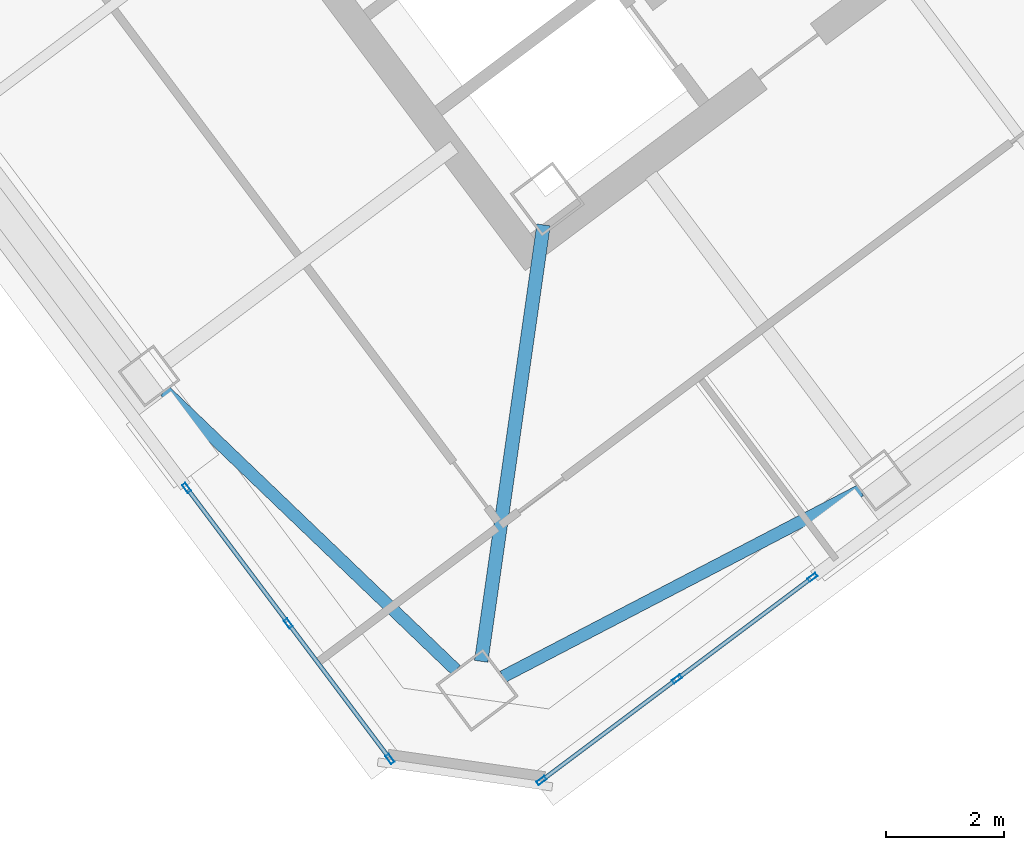
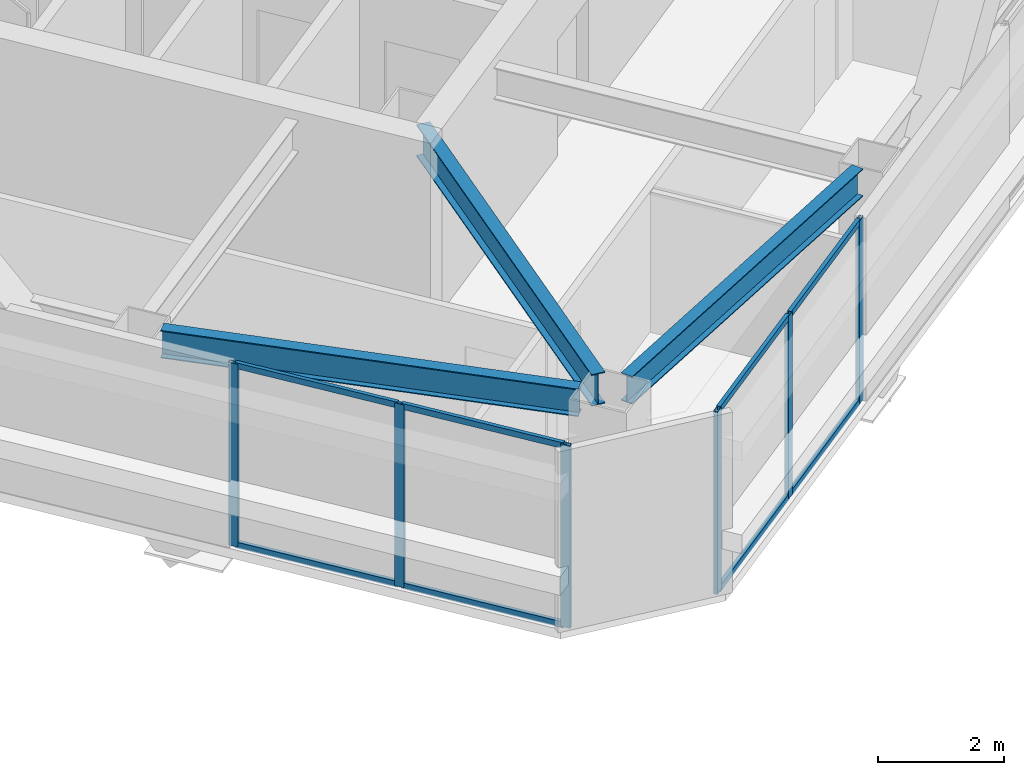
# One storey, part 18 of 39: 14 members, 3 beams, 2 elements without a shape of their own.
"""IFC4 building model written with IfcOpenShell, lengths in metres."""

from ifc_helpers import new_model, si_unit, direction, frame, origin, origin_2d, place, context, subcontext, project, spatial, hollow_rectangle, i_section, extrude, material, material_profile, profile_set, type_object, element, aggregate, save


model = new_model("IFC4")

# Units and contexts
model_context = context("Model", 3, precision=1e-05, world=origin(), true_north=direction((0.0, 1.0)))
body_context = subcontext(model_context, "Body", "Model", "MODEL_VIEW")
ifc_project = project(units=[si_unit("LENGTHUNIT", "METRE"), si_unit("AREAUNIT", "SQUARE_METRE"), si_unit("VOLUMEUNIT", "CUBIC_METRE"), si_unit("PLANEANGLEUNIT", "RADIAN"), si_unit("MASSUNIT", "GRAM", prefix="KILO")], contexts=[model_context])

# Site, building, storey
site_placement = place(None, origin())
site = spatial("IfcSite", under=ifc_project, at=site_placement, CompositionType="ELEMENT")
building_placement = place(site_placement, origin())
building = spatial("IfcBuilding", under=site, at=building_placement, Name="Tashvorn Skyway Center", CompositionType="ELEMENT")
storey_placement = place(building_placement, frame((0.0, 0.0, 239.699951171875)))
storey = spatial("IfcBuildingStorey", under=building, at=storey_placement, Name="L65", CompositionType="ELEMENT", Elevation=239.699951171875)

# Beams
ifc_material_1 = material(Name="Steel ASTM A992 Grade 50", Category="steel")
ifc_material_profile_1 = material_profile(ifc_material_1, i_section(OverallWidth=0.22998046875, OverallDepth=0.616943359375, WebThickness=0.01318359375, FlangeThickness=0.022216796875, at=origin_2d()), Name="W24X94")
ifc_profile_set_1 = profile_set([ifc_material_profile_1], Name="Steel ASTM A992 Grade 50")
beam_type_1 = type_object("IfcBeamType", Name="BM-BEAM-W24X94", PredefinedType="BEAM", material=ifc_profile_set_1)
beam_placement = place(storey_placement, frame((111.469970703125, 14.2900390625, 3.0615234375), z_axis=(0.141430501853, 0.989948187102, 0.0), x_axis=(-0.989948187102, 0.141430501853, 0.0)))
element("IfcBeam", 1, at=beam_placement, inside=storey, type_object=beam_type_1, Name="Tower 2 L65 Primary Floor Girder MC-SW", PredefinedType="BEAM", context=body_context, shape_type="SweptSolid", body=[
    extrude(i_section(OverallWidth=0.22998046875, OverallDepth=0.616943359375, WebThickness=0.01318359375, FlangeThickness=0.022216796875, at=origin_2d()), origin(), (0.0, 0.0, 1.0), 7.474609375),
])
ifc_material_profile_2 = material_profile(ifc_material_1, i_section(OverallWidth=0.2109375, OverallDepth=0.5390625, WebThickness=0.01171875, FlangeThickness=0.018798828125, at=origin_2d()), Name="W21X73")
ifc_profile_set_2 = profile_set([ifc_material_profile_2], Name="Steel ASTM A992 Grade 50")
beam_type_2 = type_object("IfcBeamType", Name="BM-SPANDREL-W21X73", PredefinedType="SPANDREL", material=ifc_profile_set_2)
for number, where, z_axis, x_axis, name in (
    (2, (111.8388671875, 14.02880859375, 3.1005859375), (0.886773234579, 0.462204749472, 0.0), (-0.462204749472, 0.886773234579, 0.0), "Tower 2 L65 Spandrel Beam 01"),
    (3, (106.107177734375, 18.8740234375, 3.1005859375), (0.72187522213, -0.69202323926, 0.0), (0.69202323926, 0.72187522213, 0.0), "Tower 2 L65 Spandrel Beam 12"),
):
    element("IfcBeam", number, at=place(storey_placement, frame(where, z_axis=z_axis, x_axis=x_axis)), inside=storey, type_object=beam_type_2, Name=name, PredefinedType="SPANDREL", context=body_context, shape_type="SweptSolid", body=[
        extrude(i_section(OverallWidth=0.2109375, OverallDepth=0.5390625, WebThickness=0.01171875, FlangeThickness=0.018798828125, at=origin_2d()), origin(), (0.0, 0.0, 1.0), 6.837158203125),
    ])

# Curtain wall, members
ifc_material_2 = material(Name="Thermally broken bronze-anodized aluminium 6063-T6", Category="aluminium")
curtain_wall_type = type_object("IfcCurtainWallType", Name="CW-CW-Z5", PredefinedType="NOTDEFINED", material=ifc_material_2)
curtain_wall_1_placement = place(storey_placement, origin())
curtain_wall_1 = element("IfcCurtainWall", 4, at=curtain_wall_1_placement, inside=storey, type_object=curtain_wall_type, Name="Tower 2 L65 South Unitised Curtain Wall Glazing Group 3", PredefinedType="NOTDEFINED")
ifc_material_profile_3 = material_profile(ifc_material_2, hollow_rectangle(XDim=0.070068359375, YDim=0.1650390625, WallThickness=0.00390625, at=origin_2d()), Name="ALU-MULL-70x165")
ifc_profile_set_3 = profile_set([ifc_material_profile_3], Name="Thermally broken bronze-anodized aluminium 6063-T6")
member_type_1 = type_object("IfcMemberType", Name="CWM-CW-Z5", PredefinedType="MULLION", material=ifc_profile_set_3)
member_1_placement = place(storey_placement, frame((117.086669921875, 15.715087890625, 0.0), z_axis=(0.0, 0.0, 1.0), x_axis=(0.599997247712, -0.800002064209, 0.0)))
member_1 = element("IfcMember", 5, at=member_1_placement, type_object=member_type_1, Name="CW-Z5 mullion 1", PredefinedType="MULLION", context=body_context, shape_type="SweptSolid", body=[
    extrude(hollow_rectangle(XDim=0.070068359375, YDim=0.1650390625, WallThickness=0.00390625, at=origin_2d()), origin(), (0.0, 0.0, 1.0), 3.550048828125),
])
member_2_placement = place(storey_placement, frame((114.789306640625, 13.991943359375, 0.0), z_axis=(0.0, 0.0, 1.0), x_axis=(0.599997247712, -0.800002064209, 0.0)))
member_2 = element("IfcMember", 6, at=member_2_placement, type_object=member_type_1, Name="CW-Z5 mullion 2", PredefinedType="MULLION", context=body_context, shape_type="SweptSolid", body=[
    extrude(hollow_rectangle(XDim=0.070068359375, YDim=0.1650390625, WallThickness=0.00390625, at=origin_2d()), origin(), (0.0, 0.0, 1.0), 3.550048828125),
])
member_3_placement = place(storey_placement, frame((112.491943359375, 12.26904296875, 0.0), z_axis=(0.0, 0.0, 1.0), x_axis=(0.599997247712, -0.800002064209, 0.0)))
member_3 = element("IfcMember", 7, at=member_3_placement, type_object=member_type_1, Name="CW-Z5 mullion 3", PredefinedType="MULLION", context=body_context, shape_type="SweptSolid", body=[
    extrude(hollow_rectangle(XDim=0.070068359375, YDim=0.1650390625, WallThickness=0.00390625, at=origin_2d()), origin(), (0.0, 0.0, 1.0), 3.550048828125),
])

curtain_wall_2_placement = place(storey_placement, origin())
curtain_wall_2 = element("IfcCurtainWall", 8, at=curtain_wall_2_placement, inside=storey, type_object=curtain_wall_type, Name="Tower 2 L65 West Unitised Curtain Wall Glazing Group 1", PredefinedType="NOTDEFINED")
member_4_placement = place(storey_placement, frame((109.923095703125, 12.635986328125, 0.0), z_axis=(0.0, 0.0, 1.0), x_axis=(-0.800002064209, -0.599997247712, 0.0)))
member_4 = element("IfcMember", 9, at=member_4_placement, type_object=member_type_1, Name="CW-Z5 mullion 1", PredefinedType="MULLION", context=body_context, shape_type="SweptSolid", body=[
    extrude(hollow_rectangle(XDim=0.070068359375, YDim=0.1650390625, WallThickness=0.00390625, at=origin_2d()), origin(), (0.0, 0.0, 1.0), 3.550048828125),
])
member_5_placement = place(storey_placement, frame((108.199951171875, 14.933349609375, 0.0), z_axis=(0.0, 0.0, 1.0), x_axis=(-0.800002064209, -0.599997247712, 0.0)))
member_5 = element("IfcMember", 10, at=member_5_placement, type_object=member_type_1, Name="CW-Z5 mullion 2", PredefinedType="MULLION", context=body_context, shape_type="SweptSolid", body=[
    extrude(hollow_rectangle(XDim=0.070068359375, YDim=0.1650390625, WallThickness=0.00390625, at=origin_2d()), origin(), (0.0, 0.0, 1.0), 3.550048828125),
])
member_6_placement = place(storey_placement, frame((106.47705078125, 17.230712890625, 0.0), z_axis=(0.0, 0.0, 1.0), x_axis=(-0.800002064209, -0.599997247712, 0.0)))
member_6 = element("IfcMember", 11, at=member_6_placement, type_object=member_type_1, Name="CW-Z5 mullion 3", PredefinedType="MULLION", context=body_context, shape_type="SweptSolid", body=[
    extrude(hollow_rectangle(XDim=0.070068359375, YDim=0.1650390625, WallThickness=0.00390625, at=origin_2d()), origin(), (0.0, 0.0, 1.0), 3.550048828125),
])

# Member
ifc_material_profile_4 = material_profile(ifc_material_2, hollow_rectangle(XDim=0.070068359375, YDim=0.114990234375, WallThickness=0.00390625, at=origin_2d()), Name="ALU-TRAN-70x115")
ifc_profile_set_4 = profile_set([ifc_material_profile_4], Name="Thermally broken bronze-anodized aluminium 6063-T6")
member_type_2 = type_object("IfcMemberType", Name="CWT-CW-Z5", PredefinedType="USERDEFINED", material=ifc_profile_set_4)
member_7_placement = place(storey_placement, frame((117.05859375, 15.694091796875, 0.03515625), z_axis=(-0.799958170178, -0.600055769046, 0.0), x_axis=(0.600055769046, -0.799958170178, 0.0)))
member_7 = element("IfcMember", 12, at=member_7_placement, type_object=member_type_2, Name="CW-Z5 transom 1.1", ObjectType="TRANSOM", PredefinedType="USERDEFINED", context=body_context, shape_type="SweptSolid", body=[
    extrude(hollow_rectangle(XDim=0.070068359375, YDim=0.114990234375, WallThickness=0.00390625, at=origin_2d()), origin(), (0.0, 0.0, 1.0), 2.8017578125),
])

member_8_placement = place(storey_placement, frame((117.05859375, 15.694091796875, 3.51513671875), z_axis=(-0.799958170178, -0.600055769046, 0.0), x_axis=(0.600055769046, -0.799958170178, 0.0)))
member_8 = element("IfcMember", 13, at=member_8_placement, type_object=member_type_2, Name="CW-Z5 transom 1.2", ObjectType="TRANSOM", PredefinedType="USERDEFINED", context=body_context, shape_type="SweptSolid", body=[
    extrude(hollow_rectangle(XDim=0.070068359375, YDim=0.114990234375, WallThickness=0.00390625, at=origin_2d()), origin(), (0.0, 0.0, 1.0), 2.8017578125),
])

member_9_placement = place(storey_placement, frame((114.76123046875, 13.970947265625, 0.03515625), z_axis=(-0.8, -0.6, 0.0), x_axis=(0.6, -0.8, 0.0)))
member_9 = element("IfcMember", 14, at=member_9_placement, type_object=member_type_2, Name="CW-Z5 transom 2.1", ObjectType="TRANSOM", PredefinedType="USERDEFINED", context=body_context, shape_type="SweptSolid", body=[
    extrude(hollow_rectangle(XDim=0.070068359375, YDim=0.114990234375, WallThickness=0.00390625, at=origin_2d()), origin(), (0.0, 0.0, 1.0), 2.801513671875),
])

member_10_placement = place(storey_placement, frame((114.76123046875, 13.970947265625, 3.51513671875), z_axis=(-0.8, -0.6, 0.0), x_axis=(0.6, -0.8, 0.0)))
member_10 = element("IfcMember", 15, at=member_10_placement, type_object=member_type_2, Name="CW-Z5 transom 2.2", ObjectType="TRANSOM", PredefinedType="USERDEFINED", context=body_context, shape_type="SweptSolid", body=[
    extrude(hollow_rectangle(XDim=0.070068359375, YDim=0.114990234375, WallThickness=0.00390625, at=origin_2d()), origin(), (0.0, 0.0, 1.0), 2.801513671875),
])

aggregate(curtain_wall_1, [member_1, member_2, member_3, member_7, member_8, member_9, member_10])

member_11_placement = place(storey_placement, frame((109.902099609375, 12.6640625, 0.03515625), z_axis=(-0.600055769046, 0.799958170178, 0.0), x_axis=(-0.799958170178, -0.600055769046, 0.0)))
member_11 = element("IfcMember", 16, at=member_11_placement, type_object=member_type_2, Name="CW-Z5 transom 1.1", ObjectType="TRANSOM", PredefinedType="USERDEFINED", context=body_context, shape_type="SweptSolid", body=[
    extrude(hollow_rectangle(XDim=0.070068359375, YDim=0.114990234375, WallThickness=0.00390625, at=origin_2d()), origin(), (0.0, 0.0, 1.0), 2.8017578125),
])

member_12_placement = place(storey_placement, frame((109.902099609375, 12.6640625, 3.51513671875), z_axis=(-0.600055769046, 0.799958170178, 0.0), x_axis=(-0.799958170178, -0.600055769046, 0.0)))
member_12 = element("IfcMember", 17, at=member_12_placement, type_object=member_type_2, Name="CW-Z5 transom 1.2", ObjectType="TRANSOM", PredefinedType="USERDEFINED", context=body_context, shape_type="SweptSolid", body=[
    extrude(hollow_rectangle(XDim=0.070068359375, YDim=0.114990234375, WallThickness=0.00390625, at=origin_2d()), origin(), (0.0, 0.0, 1.0), 2.8017578125),
])

member_13_placement = place(storey_placement, frame((108.178955078125, 14.96142578125, 0.03515625), z_axis=(-0.6, 0.8, 0.0), x_axis=(-0.8, -0.6, 0.0)))
member_13 = element("IfcMember", 18, at=member_13_placement, type_object=member_type_2, Name="CW-Z5 transom 2.1", ObjectType="TRANSOM", PredefinedType="USERDEFINED", context=body_context, shape_type="SweptSolid", body=[
    extrude(hollow_rectangle(XDim=0.070068359375, YDim=0.114990234375, WallThickness=0.00390625, at=origin_2d()), origin(), (0.0, 0.0, 1.0), 2.801513671875),
])

member_14_placement = place(storey_placement, frame((108.178955078125, 14.96142578125, 3.51513671875), z_axis=(-0.6, 0.8, 0.0), x_axis=(-0.8, -0.6, 0.0)))
member_14 = element("IfcMember", 19, at=member_14_placement, type_object=member_type_2, Name="CW-Z5 transom 2.2", ObjectType="TRANSOM", PredefinedType="USERDEFINED", context=body_context, shape_type="SweptSolid", body=[
    extrude(hollow_rectangle(XDim=0.070068359375, YDim=0.114990234375, WallThickness=0.00390625, at=origin_2d()), origin(), (0.0, 0.0, 1.0), 2.801513671875),
])

aggregate(curtain_wall_2, [member_4, member_5, member_6, member_11, member_12, member_13, member_14])

save(model, "model.ifc")
